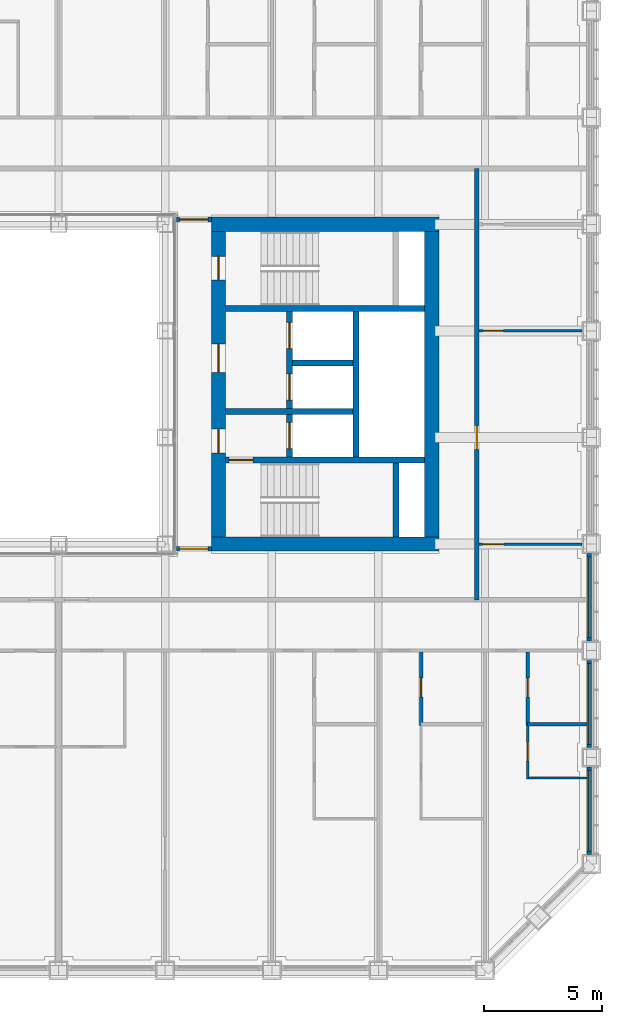
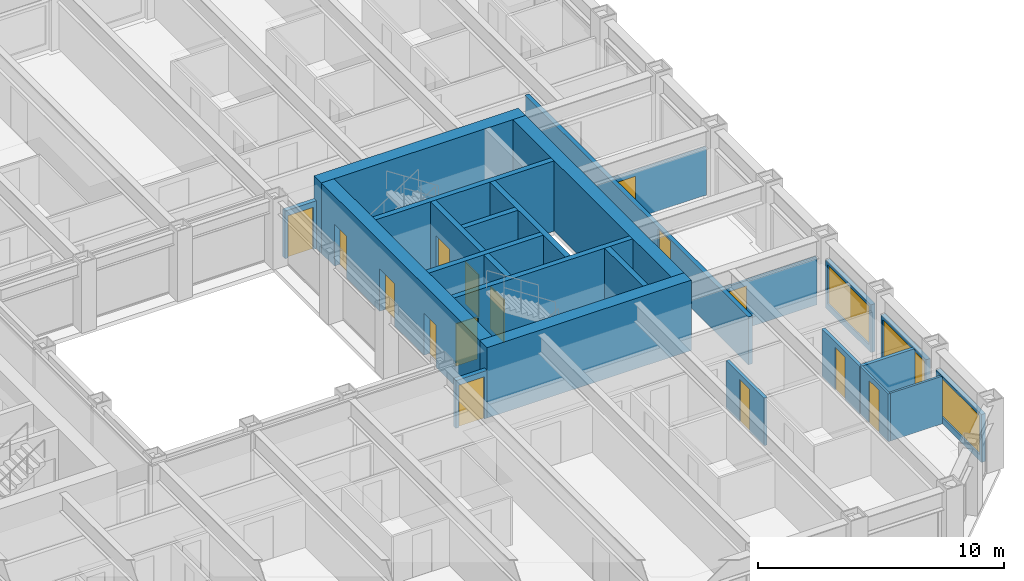
# One storey, part 12 of 21: 24 walls, 15 doors, 3 windows, 18 openings.
"""IFC4 building model written with IfcOpenShell, lengths in metres."""

from ifc_helpers import new_model, si_unit, direction, frame, frame_2d, origin, place, context, subcontext, project, spatial, rectangle, extrude, material, layer, layer_set, type_object, element, fill, save


model = new_model("IFC4")

# Units and contexts
model_context = context("Model", 3, precision=1e-05, world=origin(), true_north=direction((0.0, 1.0)))
body_context = subcontext(model_context, "Body", "Model", "MODEL_VIEW")
ifc_project = project(units=[si_unit("LENGTHUNIT", "METRE"), si_unit("AREAUNIT", "SQUARE_METRE"), si_unit("VOLUMEUNIT", "CUBIC_METRE"), si_unit("PLANEANGLEUNIT", "RADIAN"), si_unit("MASSUNIT", "GRAM", prefix="KILO")], contexts=[model_context])

# Site, building, storey
site_placement = place(None, origin())
site = spatial("IfcSite", under=ifc_project, at=site_placement, CompositionType="ELEMENT")
building_placement = place(site_placement, origin())
building = spatial("IfcBuilding", under=site, at=building_placement, Name="Msasa Ring Tower", CompositionType="ELEMENT")
storey_placement = place(building_placement, frame((0.0, 0.0, 86.0)))
storey = spatial("IfcBuildingStorey", under=building, at=storey_placement, Name="L22", CompositionType="ELEMENT", Elevation=86.0)

# Walls
ifc_material_1 = material(Name="Concrete C60/75", Category="concrete")
ifc_layer_1 = layer(ifc_material_1, 0.60009765625)
ifc_layer_set_1 = layer_set([ifc_layer_1], Name="CW1 CORE WALL 600")
wall_type_1 = type_object("IfcWallType", Name="CW1 CORE WALL 600", PredefinedType="SHEAR", material=ifc_layer_set_1)
for number, where, z_axis, x_axis, name in (
    (1, (8.699951171875, -6.75, 0.0), (0.0, 0.0, 1.0), (1.0, 0.0, 0.0), "E core wall S L22"),
    (2, (8.699951171875, 6.75, 0.0), (0.0, 0.0, 1.0), (1.0, 0.0, 0.0), "E core wall N L22"),
):
    element("IfcWall", number, at=place(storey_placement, frame(where, z_axis=z_axis, x_axis=x_axis)), inside=storey, type_object=wall_type_1, Name=name, PredefinedType="SHEAR", context=body_context, shape_type="SweptSolid", body=[
        extrude(rectangle(XDim=9.60009765625, YDim=0.60009765625, at=frame_2d((4.800048828125, 0.0))), origin(), (0.0, 0.0, 1.0), 3.5),
    ])

# Wall, openings, doors
wall_1_placement = place(storey_placement, frame((9.0, -6.449951171875, 0.0), z_axis=(0.0, 0.0, 1.0), x_axis=(0.0, 1.0, 0.0)))
wall_1 = element("IfcWall", 3, at=wall_1_placement, inside=storey, type_object=wall_type_1, Name="E core wall W L22", PredefinedType="SHEAR", context=body_context, shape_type="SweptSolid", body=[
    extrude(rectangle(XDim=12.89990234375, YDim=0.60009765625, at=frame_2d((6.449951171875, 0.0))), origin(), (0.0, 0.0, 1.0), 3.5),
])
opening_1_placement = place(wall_1_placement, frame((3.550048828125, 0.0, 0.0)))
opening_1 = element("IfcOpeningElement", 4, at=opening_1_placement, cuts=wall_1, Name="Opening RF-047", PredefinedType="OPENING", context=body_context, shape_type="SweptSolid", body=[
    extrude(rectangle(XDim=1.0, YDim=2.10009765625, at=frame_2d((0.5, 1.050048828125))), frame((0.0, 0.31005859375, 0.0), z_axis=(0.0, -1.0, 0.0), x_axis=(1.0, 0.0, 0.0)), (0.0, 0.0, 1.0), 0.6201171875),
])
opening_2_placement = place(wall_1_placement, frame((6.949951171875, 0.0, 0.0)))
opening_2 = element("IfcOpeningElement", 5, at=opening_2_placement, cuts=wall_1, Name="Opening RF-043", PredefinedType="OPENING", context=body_context, shape_type="SweptSolid", body=[
    extrude(rectangle(XDim=1.199951171875, YDim=2.10009765625, at=frame_2d((0.60009765625, 1.050048828125))), frame((0.0, 0.31005859375, 0.0), z_axis=(0.0, -1.0, 0.0), x_axis=(1.0, 0.0, 0.0)), (0.0, 0.0, 1.0), 0.6201171875),
])
opening_3_placement = place(wall_1_placement, frame((10.85009765625, 0.0, 0.0)))
opening_3 = element("IfcOpeningElement", 6, at=opening_3_placement, cuts=wall_1, Name="Opening RF-039", PredefinedType="OPENING", context=body_context, shape_type="SweptSolid", body=[
    extrude(rectangle(XDim=1.0, YDim=2.10009765625, at=frame_2d((0.5, 1.050048828125))), frame((0.0, 0.31005859375, 0.0), z_axis=(0.0, -1.0, 0.0), x_axis=(1.0, 0.0, 0.0)), (0.0, 0.0, 1.0), 0.6201171875),
])
ifc_material_2 = material(Name="Timber door leaf in a steel frame", Category="steel")
door_type_1 = type_object("IfcDoorType", Name="D4 LOBBY DOOR 1000x2100", OperationType="SINGLE_SWING_LEFT", PredefinedType="DOOR", material=ifc_material_2)
door_1_placement = place(opening_1_placement, origin())
door_1 = element("IfcDoor", 7, at=door_1_placement, inside=storey, type_object=door_type_1, Name="Door L22-EFFL", OperationType="SINGLE_SWING_LEFT", OverallHeight=2.10009765625, OverallWidth=1.0, PredefinedType="DOOR", context=body_context, shape_type="SweptSolid", body=[
    extrude(rectangle(XDim=1.0, YDim=2.10009765625, at=frame_2d((0.5, 1.050048828125))), frame((0.0, 0.02490234375, 0.0), z_axis=(0.0, -1.0, 0.0), x_axis=(1.0, 0.0, 0.0)), (0.0, 0.0, 1.0), 0.050048828125),
])
fill(opening_1, door_1)
ifc_material_3 = material(Name="Timber door leaf in a steel frame", Category="steel")
door_type_2 = type_object("IfcDoorType", Name="D5 WIDE LOBBY DOOR 1200x2100", OperationType="SINGLE_SWING_LEFT", PredefinedType="DOOR", material=ifc_material_3)
door_2_placement = place(opening_2_placement, origin())
door_2 = element("IfcDoor", 8, at=door_2_placement, inside=storey, type_object=door_type_2, Name="Door L22-ELL", OperationType="SINGLE_SWING_RIGHT", OverallHeight=2.10009765625, OverallWidth=1.199951171875, PredefinedType="DOOR", context=body_context, shape_type="SweptSolid", body=[
    extrude(rectangle(XDim=1.199951171875, YDim=2.10009765625, at=frame_2d((0.60009765625, 1.050048828125))), frame((0.0, 0.02490234375, 0.0), z_axis=(0.0, -1.0, 0.0), x_axis=(1.0, 0.0, 0.0)), (0.0, 0.0, 1.0), 0.050048828125),
])
fill(opening_2, door_2)
ifc_material_4 = material(Name="Timber door leaf in a steel frame", Category="steel")
door_type_3 = type_object("IfcDoorType", Name="D6 STAIR DOOR 1000x2100", OperationType="SINGLE_SWING_LEFT", PredefinedType="DOOR", material=ifc_material_4)
door_3_placement = place(opening_3_placement, origin())
door_3 = element("IfcDoor", 9, at=door_3_placement, inside=storey, type_object=door_type_3, Name="Door L22-ESTB", OperationType="SINGLE_SWING_RIGHT", OverallHeight=2.10009765625, OverallWidth=1.0, PredefinedType="DOOR", context=body_context, shape_type="SweptSolid", body=[
    extrude(rectangle(XDim=1.0, YDim=2.10009765625, at=frame_2d((0.5, 1.050048828125))), frame((0.0, 0.02490234375, 0.0), z_axis=(0.0, -1.0, 0.0), x_axis=(1.0, 0.0, 0.0)), (0.0, 0.0, 1.0), 0.050048828125),
])
fill(opening_3, door_3)

# Wall
wall_2_placement = place(storey_placement, frame((18.0, -6.449951171875, 0.0), z_axis=(0.0, 0.0, 1.0), x_axis=(0.0, 1.0, 0.0)))
element("IfcWall", 10, at=wall_2_placement, inside=storey, type_object=wall_type_1, Name="E core wall E L22", PredefinedType="SHEAR", context=body_context, shape_type="SweptSolid", body=[
    extrude(rectangle(XDim=12.89990234375, YDim=0.60009765625, at=frame_2d((6.449951171875, 0.0))), origin(), (0.0, 0.0, 1.0), 3.5),
])

# Wall, opening, door
ifc_material_5 = material(Name="Concrete C60/75", Category="concrete")
ifc_layer_2 = layer(ifc_material_5, 0.25)
ifc_layer_set_2 = layer_set([ifc_layer_2], Name="CW4 CORE INNER WALL 250")
wall_type_2 = type_object("IfcWallType", Name="CW4 CORE INNER WALL 250", PredefinedType="SHEAR", material=ifc_layer_set_2)
wall_3_placement = place(storey_placement, frame((9.300048828125, -3.199951171875, 0.0), z_axis=(0.0, 0.0, 1.0), x_axis=(1.0, 0.0, 0.0)))
wall_3 = element("IfcWall", 11, at=wall_3_placement, inside=storey, type_object=wall_type_2, Name="E core wall STAIRA L22", PredefinedType="SHEAR", context=body_context, shape_type="SweptSolid", body=[
    extrude(rectangle(XDim=8.39990234375, YDim=0.25, at=frame_2d((4.199951171875, 0.0))), origin(), (0.0, 0.0, 1.0), 3.5),
])
opening_4_placement = place(wall_3_placement, frame((0.14990234375, 0.0, 0.0)))
opening_4 = element("IfcOpeningElement", 12, at=opening_4_placement, cuts=wall_3, Name="Opening RF-049", PredefinedType="OPENING", context=body_context, shape_type="SweptSolid", body=[
    extrude(rectangle(XDim=1.0, YDim=2.10009765625, at=frame_2d((0.5, 1.050048828125))), frame((0.0, 0.135009765625, 0.0), z_axis=(0.0, -1.0, 0.0), x_axis=(1.0, 0.0, 0.0)), (0.0, 0.0, 1.0), 0.27001953125),
])
door_4_placement = place(opening_4_placement, origin())
door_4 = element("IfcDoor", 13, at=door_4_placement, inside=storey, type_object=door_type_3, Name="Door L22-ESTA", OperationType="SINGLE_SWING_LEFT", OverallHeight=2.10009765625, OverallWidth=1.0, PredefinedType="DOOR", context=body_context, shape_type="SweptSolid", body=[
    extrude(rectangle(XDim=1.0, YDim=2.10009765625, at=frame_2d((0.5, 1.050048828125))), frame((0.0, 0.02490234375, 0.0), z_axis=(0.0, -1.0, 0.0), x_axis=(1.0, 0.0, 0.0)), (0.0, 0.0, 1.0), 0.050048828125),
])
fill(opening_4, door_4)

# Walls
wall_4_placement = place(storey_placement, frame((9.300048828125, 3.199951171875, 0.0), z_axis=(0.0, 0.0, 1.0), x_axis=(1.0, 0.0, 0.0)))
element("IfcWall", 14, at=wall_4_placement, inside=storey, type_object=wall_type_2, Name="E core wall STAIRB L22", PredefinedType="SHEAR", context=body_context, shape_type="SweptSolid", body=[
    extrude(rectangle(XDim=8.39990234375, YDim=0.25, at=frame_2d((4.199951171875, 0.0))), origin(), (0.0, 0.0, 1.0), 3.5),
])
wall_5_placement = place(storey_placement, frame((16.5, -6.449951171875, 0.0), z_axis=(0.0, 0.0, 1.0), x_axis=(0.0, 1.0, 0.0)))
element("IfcWall", 15, at=wall_5_placement, inside=storey, type_object=wall_type_2, Name="E core wall RISERA L22", PredefinedType="SHEAR", context=body_context, shape_type="SweptSolid", body=[
    extrude(rectangle(XDim=3.125, YDim=0.25, at=frame_2d((1.5625, 0.0))), origin(), (0.0, 0.0, 1.0), 3.5),
])
wall_6_placement = place(storey_placement, frame((9.300048828125, -1.14990234375, 0.0), z_axis=(0.0, 0.0, 1.0), x_axis=(1.0, 0.0, 0.0)))
element("IfcWall", 16, at=wall_6_placement, inside=storey, type_object=wall_type_2, Name="E core wall FFL L22", PredefinedType="SHEAR", context=body_context, shape_type="SweptSolid", body=[
    extrude(rectangle(XDim=5.375, YDim=0.25, at=frame_2d((2.6875, 0.0))), origin(), (0.0, 0.0, 1.0), 3.5),
])

# Wall, openings, doors
wall_7_placement = place(storey_placement, frame((12.0, -3.074951171875, 0.0), z_axis=(0.0, 0.0, 1.0), x_axis=(0.0, 1.0, 0.0)))
wall_7 = element("IfcWall", 17, at=wall_7_placement, inside=storey, type_object=wall_type_2, Name="E core wall LOBBY L22", PredefinedType="SHEAR", context=body_context, shape_type="SweptSolid", body=[
    extrude(rectangle(XDim=6.14990234375, YDim=0.25, at=frame_2d((3.074951171875, 0.0))), origin(), (0.0, 0.0, 1.0), 3.5),
])
opening_5_placement = place(wall_7_placement, frame((0.35009765625, 0.0, 0.0)))
opening_5 = element("IfcOpeningElement", 18, at=opening_5_placement, cuts=wall_7, Name="Opening LD1", PredefinedType="OPENING", context=body_context, shape_type="SweptSolid", body=[
    extrude(rectangle(XDim=1.10009765625, YDim=2.10009765625, at=frame_2d((0.550048828125, 1.050048828125))), frame((0.0, 0.135009765625, 0.0), z_axis=(0.0, -1.0, 0.0), x_axis=(1.0, 0.0, 0.0)), (0.0, 0.0, 1.0), 0.27001953125),
])
opening_6_placement = place(wall_7_placement, frame((2.39990234375, 0.0, 0.0)))
opening_6 = element("IfcOpeningElement", 19, at=opening_6_placement, cuts=wall_7, Name="Opening LD1", PredefinedType="OPENING", context=body_context, shape_type="SweptSolid", body=[
    extrude(rectangle(XDim=1.10009765625, YDim=2.10009765625, at=frame_2d((0.550048828125, 1.050048828125))), frame((0.0, 0.135009765625, 0.0), z_axis=(0.0, -1.0, 0.0), x_axis=(1.0, 0.0, 0.0)), (0.0, 0.0, 1.0), 0.27001953125),
])
opening_7_placement = place(wall_7_placement, frame((4.574951171875, 0.0, 0.0)))
opening_7 = element("IfcOpeningElement", 20, at=opening_7_placement, cuts=wall_7, Name="Opening LD1", PredefinedType="OPENING", context=body_context, shape_type="SweptSolid", body=[
    extrude(rectangle(XDim=1.10009765625, YDim=2.10009765625, at=frame_2d((0.550048828125, 1.050048828125))), frame((0.0, 0.135009765625, 0.0), z_axis=(0.0, -1.0, 0.0), x_axis=(1.0, 0.0, 0.0)), (0.0, 0.0, 1.0), 0.27001953125),
])
ifc_material_6 = material(Name="Stainless steel lift landing door", Category="steel")
door_type_4 = type_object("IfcDoorType", Name="LD1 LIFT LANDING DOOR 1100x2100", OperationType="DOUBLE_DOOR_SLIDING", PredefinedType="DOOR", material=ifc_material_6)
door_5_placement = place(opening_5_placement, origin())
door_5 = element("IfcDoor", 21, at=door_5_placement, inside=storey, type_object=door_type_4, Name="Lift landing door FL-E L22", OperationType="DOUBLE_DOOR_SLIDING", OverallHeight=2.10009765625, OverallWidth=1.10009765625, PredefinedType="DOOR", context=body_context, shape_type="SweptSolid", body=[
    extrude(rectangle(XDim=1.10009765625, YDim=2.10009765625, at=frame_2d((0.550048828125, 1.050048828125))), frame((0.0, 0.02490234375, 0.0), z_axis=(0.0, -1.0, 0.0), x_axis=(1.0, 0.0, 0.0)), (0.0, 0.0, 1.0), 0.050048828125),
])
fill(opening_5, door_5)
door_6_placement = place(opening_6_placement, origin())
door_6 = element("IfcDoor", 22, at=door_6_placement, inside=storey, type_object=door_type_4, Name="Lift landing door PL-R1 L22", OperationType="DOUBLE_DOOR_SLIDING", OverallHeight=2.10009765625, OverallWidth=1.10009765625, PredefinedType="DOOR", context=body_context, shape_type="SweptSolid", body=[
    extrude(rectangle(XDim=1.10009765625, YDim=2.10009765625, at=frame_2d((0.550048828125, 1.050048828125))), frame((0.0, 0.02490234375, 0.0), z_axis=(0.0, -1.0, 0.0), x_axis=(1.0, 0.0, 0.0)), (0.0, 0.0, 1.0), 0.050048828125),
])
fill(opening_6, door_6)
door_7_placement = place(opening_7_placement, origin())
door_7 = element("IfcDoor", 23, at=door_7_placement, inside=storey, type_object=door_type_4, Name="Lift landing door PL-R2 L22", OperationType="DOUBLE_DOOR_SLIDING", OverallHeight=2.10009765625, OverallWidth=1.10009765625, PredefinedType="DOOR", context=body_context, shape_type="SweptSolid", body=[
    extrude(rectangle(XDim=1.10009765625, YDim=2.10009765625, at=frame_2d((0.550048828125, 1.050048828125))), frame((0.0, 0.02490234375, 0.0), z_axis=(0.0, -1.0, 0.0), x_axis=(1.0, 0.0, 0.0)), (0.0, 0.0, 1.0), 0.050048828125),
])
fill(opening_7, door_7)

# Walls
wall_8_placement = place(storey_placement, frame((14.800048828125, -3.074951171875, 0.0), z_axis=(0.0, 0.0, 1.0), x_axis=(0.0, 1.0, 0.0)))
element("IfcWall", 24, at=wall_8_placement, inside=storey, type_object=wall_type_2, Name="E core wall SHAFT L22", PredefinedType="SHEAR", context=body_context, shape_type="SweptSolid", body=[
    extrude(rectangle(XDim=6.14990234375, YDim=0.25, at=frame_2d((3.074951171875, 0.0))), origin(), (0.0, 0.0, 1.0), 3.5),
])
wall_9_placement = place(storey_placement, frame((12.125, 0.89990234375, 0.0), z_axis=(0.0, 0.0, 1.0), x_axis=(1.0, 0.0, 0.0)))
element("IfcWall", 25, at=wall_9_placement, inside=storey, type_object=wall_type_2, Name="E core wall LIFT1 L22", PredefinedType="SHEAR", context=body_context, shape_type="SweptSolid", body=[
    extrude(rectangle(XDim=2.550048828125, YDim=0.25, at=frame_2d((1.27490234375, 0.0))), origin(), (0.0, 0.0, 1.0), 3.5),
])

# Wall, opening, window
ifc_material_7 = material(Name="Terracotta rainscreen on blockwork", Category="masonry")
ifc_layer_3 = layer(ifc_material_7, 0.199951171875)
ifc_layer_set_3 = layer_set([ifc_layer_3], Name="FW1 TERRACOTTA-LINED INFILL BAY WALL 200")
wall_type_3 = type_object("IfcWallType", Name="FW1 TERRACOTTA-LINED INFILL BAY WALL 200", PredefinedType="SOLIDWALL", material=ifc_layer_set_3)
wall_10_placement = place(storey_placement, frame((24.64990234375, -19.844970703125, 0.0), z_axis=(0.0, 0.0, 1.0), x_axis=(0.0, 1.0, 0.0)))
wall_10 = element("IfcWall", 26, at=wall_10_placement, inside=storey, type_object=wall_type_3, Name="Infill bay wall E L22 11", PredefinedType="SOLIDWALL", context=body_context, shape_type="SweptSolid", body=[
    extrude(rectangle(XDim=3.68994140625, YDim=0.199951171875, at=frame_2d((1.844970703125, 0.0))), origin(), (0.0, 0.0, 1.0), 2.37890625),
])
opening_8_placement = place(wall_10_placement, frame((0.14501953125, 0.0, 0.300048828125)))
opening_8 = element("IfcOpeningElement", 27, at=opening_8_placement, cuts=wall_10, Name="Opening WN1", PredefinedType="OPENING", context=body_context, shape_type="SweptSolid", body=[
    extrude(rectangle(XDim=3.39990234375, YDim=1.928955078125, at=frame_2d((1.699951171875, 0.96435546875))), frame((0.0, 0.10986328125, 0.0), z_axis=(0.0, -1.0, 0.0), x_axis=(1.0, 0.0, 0.0)), (0.0, 0.0, 1.0), 0.219970703125),
])
ifc_material_8 = material(Name="Aluminium frame with clear glass", Category="aluminium")
window_type = type_object("IfcWindowType", Name="WN1 RESIDENCE WINDOW 3400x1929", PartitioningType="SINGLE_PANEL", PredefinedType="WINDOW", material=ifc_material_8)
window_1_placement = place(opening_8_placement, origin())
window_1 = element("IfcWindow", 28, at=window_1_placement, inside=storey, type_object=window_type, Name="Window E L22 11", OverallHeight=1.928955078125, OverallWidth=3.39990234375, PartitioningType="SINGLE_PANEL", PredefinedType="WINDOW", context=body_context, shape_type="SweptSolid", body=[
    extrude(rectangle(XDim=3.39990234375, YDim=1.928955078125, at=frame_2d((1.699951171875, 0.96435546875))), frame((0.0, 0.030029296875, 0.0), z_axis=(0.0, -1.0, 0.0), x_axis=(1.0, 0.0, 0.0)), (0.0, 0.0, 1.0), 0.06005859375),
])
fill(opening_8, window_1)

wall_11_placement = place(storey_placement, frame((24.64990234375, -15.344970703125, 0.0), z_axis=(0.0, 0.0, 1.0), x_axis=(0.0, 1.0, 0.0)))
wall_11 = element("IfcWall", 29, at=wall_11_placement, inside=storey, type_object=wall_type_3, Name="Infill bay wall E L22 12", PredefinedType="SOLIDWALL", context=body_context, shape_type="SweptSolid", body=[
    extrude(rectangle(XDim=3.68994140625, YDim=0.199951171875, at=frame_2d((1.844970703125, 0.0))), origin(), (0.0, 0.0, 1.0), 2.37890625),
])
opening_9_placement = place(wall_11_placement, frame((0.14501953125, 0.0, 0.300048828125)))
opening_9 = element("IfcOpeningElement", 30, at=opening_9_placement, cuts=wall_11, Name="Opening WN1", PredefinedType="OPENING", context=body_context, shape_type="SweptSolid", body=[
    extrude(rectangle(XDim=3.39990234375, YDim=1.928955078125, at=frame_2d((1.699951171875, 0.96435546875))), frame((0.0, 0.10986328125, 0.0), z_axis=(0.0, -1.0, 0.0), x_axis=(1.0, 0.0, 0.0)), (0.0, 0.0, 1.0), 0.219970703125),
])
window_2_placement = place(opening_9_placement, origin())
window_2 = element("IfcWindow", 31, at=window_2_placement, inside=storey, type_object=window_type, Name="Window E L22 12", OverallHeight=1.928955078125, OverallWidth=3.39990234375, PartitioningType="SINGLE_PANEL", PredefinedType="WINDOW", context=body_context, shape_type="SweptSolid", body=[
    extrude(rectangle(XDim=3.39990234375, YDim=1.928955078125, at=frame_2d((1.699951171875, 0.96435546875))), frame((0.0, 0.030029296875, 0.0), z_axis=(0.0, -1.0, 0.0), x_axis=(1.0, 0.0, 0.0)), (0.0, 0.0, 1.0), 0.06005859375),
])
fill(opening_9, window_2)

wall_12_placement = place(storey_placement, frame((24.64990234375, -10.844970703125, 0.0), z_axis=(0.0, 0.0, 1.0), x_axis=(0.0, 1.0, 0.0)))
wall_12 = element("IfcWall", 32, at=wall_12_placement, inside=storey, type_object=wall_type_3, Name="Infill bay wall E L22 13", PredefinedType="SOLIDWALL", context=body_context, shape_type="SweptSolid", body=[
    extrude(rectangle(XDim=3.68994140625, YDim=0.199951171875, at=frame_2d((1.844970703125, 0.0))), origin(), (0.0, 0.0, 1.0), 2.37890625),
])
opening_10_placement = place(wall_12_placement, frame((0.14501953125, 0.0, 0.300048828125)))
opening_10 = element("IfcOpeningElement", 33, at=opening_10_placement, cuts=wall_12, Name="Opening WN1", PredefinedType="OPENING", context=body_context, shape_type="SweptSolid", body=[
    extrude(rectangle(XDim=3.39990234375, YDim=1.928955078125, at=frame_2d((1.699951171875, 0.96435546875))), frame((0.0, 0.10986328125, 0.0), z_axis=(0.0, -1.0, 0.0), x_axis=(1.0, 0.0, 0.0)), (0.0, 0.0, 1.0), 0.219970703125),
])
window_3_placement = place(opening_10_placement, origin())
window_3 = element("IfcWindow", 34, at=window_3_placement, inside=storey, type_object=window_type, Name="Window E L22 13", OverallHeight=1.928955078125, OverallWidth=3.39990234375, PartitioningType="SINGLE_PANEL", PredefinedType="WINDOW", context=body_context, shape_type="SweptSolid", body=[
    extrude(rectangle(XDim=3.39990234375, YDim=1.928955078125, at=frame_2d((1.699951171875, 0.96435546875))), frame((0.0, 0.030029296875, 0.0), z_axis=(0.0, -1.0, 0.0), x_axis=(1.0, 0.0, 0.0)), (0.0, 0.0, 1.0), 0.06005859375),
])
fill(opening_10, window_3)

# Wall, opening, door
ifc_material_9 = material(Name="Concrete blockwork", Category="masonry")
ifc_layer_4 = layer(ifc_material_9, 0.199951171875)
ifc_layer_set_4 = layer_set([ifc_layer_4], Name="PT1 CORRIDOR WALL 200")
wall_type_4 = type_object("IfcWallType", Name="PT1 CORRIDOR WALL 200", PredefinedType="PARTITIONING", material=ifc_layer_set_4)
wall_13_placement = place(storey_placement, frame((7.22998046875, 6.949951171875, 0.0), z_axis=(0.0, 0.0, 1.0), x_axis=(1.0, 0.0, 0.0)))
wall_13 = element("IfcWall", 35, at=wall_13_placement, inside=storey, type_object=wall_type_4, Name="Corridor wall L22-SDEN", PredefinedType="PARTITIONING", context=body_context, shape_type="SweptSolid", body=[
    extrude(rectangle(XDim=1.469970703125, YDim=0.199951171875, at=frame_2d((0.73486328125, 0.0))), origin(), (0.0, 0.0, 1.0), 2.373291015625),
])
opening_11_placement = place(wall_13_placement, frame((0.135009765625, 0.0, 0.0)))
opening_11 = element("IfcOpeningElement", 36, at=opening_11_placement, cuts=wall_13, Name="Opening RF-035", PredefinedType="OPENING", context=body_context, shape_type="SweptSolid", body=[
    extrude(rectangle(XDim=1.199951171875, YDim=2.10009765625, at=frame_2d((0.60009765625, 1.050048828125))), frame((0.0, 0.10986328125, 0.0), z_axis=(0.0, -1.0, 0.0), x_axis=(1.0, 0.0, 0.0)), (0.0, 0.0, 1.0), 0.219970703125),
])
ifc_material_10 = material(Name="Timber door leaf in a steel frame", Category="steel")
door_type_5 = type_object("IfcDoorType", Name="D25 CORRIDOR PAIR OF SMOKE DOORS 1200x2100", OperationType="DOUBLE_DOOR_DOUBLE_SWING", PredefinedType="DOOR", material=ifc_material_10)
door_8_placement = place(opening_11_placement, origin())
door_8 = element("IfcDoor", 37, at=door_8_placement, inside=storey, type_object=door_type_5, Name="Door L22-SDEN", OperationType="DOUBLE_DOOR_DOUBLE_SWING", OverallHeight=2.10009765625, OverallWidth=1.199951171875, PredefinedType="DOOR", context=body_context, shape_type="SweptSolid", body=[
    extrude(rectangle(XDim=1.199951171875, YDim=2.10009765625, at=frame_2d((0.60009765625, 1.050048828125))), frame((0.0, 0.02490234375, 0.0), z_axis=(0.0, -1.0, 0.0), x_axis=(1.0, 0.0, 0.0)), (0.0, 0.0, 1.0), 0.050048828125),
])
fill(opening_11, door_8)

wall_14_placement = place(storey_placement, frame((7.22998046875, -6.949951171875, 0.0), z_axis=(0.0, 0.0, 1.0), x_axis=(1.0, 0.0, 0.0)))
wall_14 = element("IfcWall", 38, at=wall_14_placement, inside=storey, type_object=wall_type_4, Name="Corridor wall L22-SDES", PredefinedType="PARTITIONING", context=body_context, shape_type="SweptSolid", body=[
    extrude(rectangle(XDim=1.469970703125, YDim=0.199951171875, at=frame_2d((0.73486328125, 0.0))), origin(), (0.0, 0.0, 1.0), 2.373291015625),
])
opening_12_placement = place(wall_14_placement, frame((0.135009765625, 0.0, 0.0)))
opening_12 = element("IfcOpeningElement", 39, at=opening_12_placement, cuts=wall_14, Name="Opening RF-053", PredefinedType="OPENING", context=body_context, shape_type="SweptSolid", body=[
    extrude(rectangle(XDim=1.199951171875, YDim=2.10009765625, at=frame_2d((0.60009765625, 1.050048828125))), frame((0.0, 0.10986328125, 0.0), z_axis=(0.0, -1.0, 0.0), x_axis=(1.0, 0.0, 0.0)), (0.0, 0.0, 1.0), 0.219970703125),
])
door_9_placement = place(opening_12_placement, origin())
door_9 = element("IfcDoor", 40, at=door_9_placement, inside=storey, type_object=door_type_5, Name="Door L22-SDES", OperationType="DOUBLE_DOOR_DOUBLE_SWING", OverallHeight=2.10009765625, OverallWidth=1.199951171875, PredefinedType="DOOR", context=body_context, shape_type="SweptSolid", body=[
    extrude(rectangle(XDim=1.199951171875, YDim=2.10009765625, at=frame_2d((0.60009765625, 1.050048828125))), frame((0.0, 0.02490234375, 0.0), z_axis=(0.0, -1.0, 0.0), x_axis=(1.0, 0.0, 0.0)), (0.0, 0.0, 1.0), 0.050048828125),
])
fill(opening_12, door_9)

wall_15_placement = place(storey_placement, frame((19.89990234375, -9.10009765625, 0.0), z_axis=(0.0, 0.0, 1.0), x_axis=(0.0, 1.0, 0.0)))
wall_15 = element("IfcWall", 41, at=wall_15_placement, inside=storey, type_object=wall_type_4, Name="Corridor wall L22-STRE", PredefinedType="PARTITIONING", context=body_context, shape_type="SweptSolid", body=[
    extrude(rectangle(XDim=18.2001953125, YDim=0.199951171875, at=frame_2d((9.10009765625, 0.0))), origin(), (0.0, 0.0, 1.0), 2.373291015625),
])
opening_13_placement = place(wall_15_placement, frame((6.35009765625, 0.0, 0.0)))
opening_13 = element("IfcOpeningElement", 42, at=opening_13_placement, cuts=wall_15, Name="Opening RF-045", PredefinedType="OPENING", context=body_context, shape_type="SweptSolid", body=[
    extrude(rectangle(XDim=1.0, YDim=2.300048828125, at=frame_2d((0.5, 1.14990234375))), frame((0.0, 0.10986328125, 0.0), z_axis=(0.0, -1.0, 0.0), x_axis=(1.0, 0.0, 0.0)), (0.0, 0.0, 1.0), 0.219970703125),
])
ifc_material_11 = material(Name="Timber door leaf in a steel frame", Category="steel")
door_type_6 = type_object("IfcDoorType", Name="D16 UPPER RESIDENCE ENTRANCE DOOR 1000x2300", OperationType="SINGLE_SWING_LEFT", PredefinedType="DOOR", material=ifc_material_11)
door_10_placement = place(opening_13_placement, origin())
door_10 = element("IfcDoor", 43, at=door_10_placement, inside=storey, type_object=door_type_6, Name="Door L22-STE", OperationType="SINGLE_SWING_LEFT", OverallHeight=2.300048828125, OverallWidth=1.0, PredefinedType="DOOR", context=body_context, shape_type="SweptSolid", body=[
    extrude(rectangle(XDim=1.0, YDim=2.300048828125, at=frame_2d((0.5, 1.14990234375))), frame((0.0, 0.02490234375, 0.0), z_axis=(0.0, -1.0, 0.0), x_axis=(1.0, 0.0, 0.0)), (0.0, 0.0, 1.0), 0.050048828125),
])
fill(opening_13, door_10)

ifc_material_12 = material(Name="Gypsum board on steel studs", Category="steel")
ifc_layer_5 = layer(ifc_material_12, 0.10009765625)
ifc_layer_set_5 = layer_set([ifc_layer_5], Name="PT2 STUD PARTITION 100")
wall_type_5 = type_object("IfcWallType", Name="PT2 STUD PARTITION 100", PredefinedType="PARTITIONING", material=ifc_layer_set_5)
wall_16_placement = place(storey_placement, frame((22.050048828125, -16.673583984375, 0.0), z_axis=(0.0, 0.0, 1.0), x_axis=(0.0, 1.0, 0.0)))
wall_16 = element("IfcWall", 44, at=wall_16_placement, inside=storey, type_object=wall_type_5, Name="Partition L22-VSEWX3", PredefinedType="PARTITIONING", context=body_context, shape_type="SweptSolid", body=[
    extrude(rectangle(XDim=2.273681640625, YDim=0.10009765625, at=frame_2d((1.13671875, 0.0))), origin(), (0.0, 0.0, 1.0), 2.373291015625),
])
opening_14_placement = place(wall_16_placement, frame((0.76171875, 0.0, 0.0)))
opening_14 = element("IfcOpeningElement", 45, at=opening_14_placement, cuts=wall_16, Name="Opening RF-079", PredefinedType="OPENING", context=body_context, shape_type="SweptSolid", body=[
    extrude(rectangle(XDim=0.800048828125, YDim=2.10009765625, at=frame_2d((0.39990234375, 1.050048828125))), frame((0.0, 0.06005859375, 0.0), z_axis=(0.0, -1.0, 0.0), x_axis=(1.0, 0.0, 0.0)), (0.0, 0.0, 1.0), 0.1201171875),
])
ifc_material_13 = material(Name="Timber door leaf in a steel frame", Category="steel")
door_type_7 = type_object("IfcDoorType", Name="D60 DRESSING ROOM DOOR 800x2100", OperationType="SINGLE_SWING_LEFT", PredefinedType="DOOR", material=ifc_material_13)
door_11_placement = place(opening_14_placement, origin())
door_11 = element("IfcDoor", 46, at=door_11_placement, inside=storey, type_object=door_type_7, Name="Door L22-VSEW3", OperationType="SINGLE_SWING_LEFT", OverallHeight=2.10009765625, OverallWidth=0.800048828125, PredefinedType="DOOR", context=body_context, shape_type="SweptSolid", body=[
    extrude(rectangle(XDim=0.800048828125, YDim=2.10009765625, at=frame_2d((0.39990234375, 1.050048828125))), frame((0.0, 0.02490234375, 0.0), z_axis=(0.0, -1.0, 0.0), x_axis=(1.0, 0.0, 0.0)), (0.0, 0.0, 1.0), 0.050048828125),
])
fill(opening_14, door_11)

# Wall
wall_17_placement = place(storey_placement, frame((22.050048828125, -16.62353515625, 0.0), z_axis=(0.0, 0.0, 1.0), x_axis=(1.0, 0.0, 0.0)))
element("IfcWall", 47, at=wall_17_placement, inside=storey, type_object=wall_type_5, Name="Partition L22-VSEWY3", PredefinedType="PARTITIONING", context=body_context, shape_type="SweptSolid", body=[
    extrude(rectangle(XDim=2.5, YDim=0.10009765625, at=frame_2d((1.25, 0.0))), origin(), (0.0, 0.0, 1.0), 2.373291015625),
])

# Wall, opening, door
wall_18_placement = place(storey_placement, frame((20.0, -6.75, 0.0), z_axis=(0.0, 0.0, 1.0), x_axis=(1.0, 0.0, 0.0)))
wall_18 = element("IfcWall", 48, at=wall_18_placement, inside=storey, type_object=wall_type_5, Name="Partition L22-STEKY", PredefinedType="PARTITIONING", context=body_context, shape_type="SweptSolid", body=[
    extrude(rectangle(XDim=4.35009765625, YDim=0.10009765625, at=frame_2d((2.175048828125, 0.0))), origin(), (0.0, 0.0, 1.0), 2.373291015625),
])
opening_15_placement = place(wall_18_placement, frame((0.14990234375, 0.0, 0.0)))
opening_15 = element("IfcOpeningElement", 49, at=opening_15_placement, cuts=wall_18, Name="Opening RF-051", PredefinedType="OPENING", context=body_context, shape_type="SweptSolid", body=[
    extrude(rectangle(XDim=0.89990234375, YDim=2.10009765625, at=frame_2d((0.449951171875, 1.050048828125))), frame((0.0, 0.06005859375, 0.0), z_axis=(0.0, -1.0, 0.0), x_axis=(1.0, 0.0, 0.0)), (0.0, 0.0, 1.0), 0.1201171875),
])
ifc_material_14 = material(Name="Timber door leaf in a steel frame", Category="steel")
door_type_8 = type_object("IfcDoorType", Name="D22 INTERNAL HALL DOOR 900x2100", OperationType="SINGLE_SWING_LEFT", PredefinedType="DOOR", material=ifc_material_14)
door_12_placement = place(opening_15_placement, origin())
door_12 = element("IfcDoor", 50, at=door_12_placement, inside=storey, type_object=door_type_8, Name="Door L22-STEK", OperationType="SINGLE_SWING_LEFT", OverallHeight=2.10009765625, OverallWidth=0.89990234375, PredefinedType="DOOR", context=body_context, shape_type="SweptSolid", body=[
    extrude(rectangle(XDim=0.89990234375, YDim=2.10009765625, at=frame_2d((0.449951171875, 1.050048828125))), frame((0.0, 0.02490234375, 0.0), z_axis=(0.0, -1.0, 0.0), x_axis=(1.0, 0.0, 0.0)), (0.0, 0.0, 1.0), 0.050048828125),
])
fill(opening_15, door_12)

wall_19_placement = place(storey_placement, frame((20.0, 2.25, 0.0), z_axis=(0.0, 0.0, 1.0), x_axis=(1.0, 0.0, 0.0)))
wall_19 = element("IfcWall", 51, at=wall_19_placement, inside=storey, type_object=wall_type_5, Name="Partition L22-STERY", PredefinedType="PARTITIONING", context=body_context, shape_type="SweptSolid", body=[
    extrude(rectangle(XDim=4.35009765625, YDim=0.10009765625, at=frame_2d((2.175048828125, 0.0))), origin(), (0.0, 0.0, 1.0), 2.373291015625),
])
opening_16_placement = place(wall_19_placement, frame((0.175048828125, 0.0, 0.0)))
opening_16 = element("IfcOpeningElement", 52, at=opening_16_placement, cuts=wall_19, Name="Opening RF-041", PredefinedType="OPENING", context=body_context, shape_type="SweptSolid", body=[
    extrude(rectangle(XDim=0.85009765625, YDim=2.10009765625, at=frame_2d((0.425048828125, 1.050048828125))), frame((0.0, 0.06005859375, 0.0), z_axis=(0.0, -1.0, 0.0), x_axis=(1.0, 0.0, 0.0)), (0.0, 0.0, 1.0), 0.1201171875),
])
ifc_material_15 = material(Name="Timber door leaf in a steel frame", Category="steel")
door_type_9 = type_object("IfcDoorType", Name="D14 BEDROOM DOOR 850x2100", OperationType="SINGLE_SWING_LEFT", PredefinedType="DOOR", material=ifc_material_15)
door_13_placement = place(opening_16_placement, origin())
door_13 = element("IfcDoor", 53, at=door_13_placement, inside=storey, type_object=door_type_9, Name="Door L22-STER", OperationType="SINGLE_SWING_LEFT", OverallHeight=2.10009765625, OverallWidth=0.85009765625, PredefinedType="DOOR", context=body_context, shape_type="SweptSolid", body=[
    extrude(rectangle(XDim=0.85009765625, YDim=2.10009765625, at=frame_2d((0.425048828125, 1.050048828125))), frame((0.0, 0.02490234375, 0.0), z_axis=(0.0, -1.0, 0.0), x_axis=(1.0, 0.0, 0.0)), (0.0, 0.0, 1.0), 0.050048828125),
])
fill(opening_16, door_13)

ifc_material_16 = material(Name="Moisture-resistant board on steel studs with a concealed cistern and pipe void, tiled", Category="steel")
ifc_layer_6 = layer(ifc_material_16, 0.14990234375)
ifc_layer_set_6 = layer_set([ifc_layer_6], Name="PT4 BATHROOM WET WALL 150")
wall_type_6 = type_object("IfcWallType", Name="PT4 BATHROOM WET WALL 150", PredefinedType="PARTITIONING", material=ifc_layer_set_6)
wall_20_placement = place(storey_placement, frame((17.550048828125, -14.39990234375, 0.0), z_axis=(0.0, 0.0, 1.0), x_axis=(0.0, 1.0, 0.0)))
wall_20 = element("IfcWall", 54, at=wall_20_placement, inside=storey, type_object=wall_type_6, Name="Partition L22-VSEBX2", PredefinedType="PARTITIONING", context=body_context, shape_type="SweptSolid", body=[
    extrude(rectangle(XDim=3.08740234375, YDim=0.14990234375, at=frame_2d((1.543701171875, 0.0))), origin(), (0.0, 0.0, 1.0), 2.373291015625),
])
opening_17_placement = place(wall_20_placement, frame((1.199951171875, 0.0, 0.0)))
opening_17 = element("IfcOpeningElement", 55, at=opening_17_placement, cuts=wall_20, Name="Opening RF-074", PredefinedType="OPENING", context=body_context, shape_type="SweptSolid", body=[
    extrude(rectangle(XDim=0.800048828125, YDim=2.10009765625, at=frame_2d((0.39990234375, 1.050048828125))), frame((0.0, 0.0849609375, 0.0), z_axis=(0.0, -1.0, 0.0), x_axis=(1.0, 0.0, 0.0)), (0.0, 0.0, 1.0), 0.169921875),
])
ifc_material_17 = material(Name="Timber door leaf in a steel frame", Category="steel")
door_type_10 = type_object("IfcDoorType", Name="D21 POCKET SLIDING BATHROOM DOOR 800x2100", OperationType="SINGLE_SWING_LEFT", PredefinedType="DOOR", material=ifc_material_17)
door_14_placement = place(opening_17_placement, origin())
door_14 = element("IfcDoor", 56, at=door_14_placement, inside=storey, type_object=door_type_10, Name="Door L22-VSEB2", OperationType="SINGLE_SWING_RIGHT", OverallHeight=2.10009765625, OverallWidth=0.800048828125, PredefinedType="DOOR", context=body_context, shape_type="SweptSolid", body=[
    extrude(rectangle(XDim=0.800048828125, YDim=2.10009765625, at=frame_2d((0.39990234375, 1.050048828125))), frame((0.0, 0.02490234375, 0.0), z_axis=(0.0, -1.0, 0.0), x_axis=(1.0, 0.0, 0.0)), (0.0, 0.0, 1.0), 0.050048828125),
])
fill(opening_17, door_14)

wall_21_placement = place(storey_placement, frame((22.050048828125, -14.39990234375, 0.0), z_axis=(0.0, 0.0, 1.0), x_axis=(0.0, 1.0, 0.0)))
wall_21 = element("IfcWall", 57, at=wall_21_placement, inside=storey, type_object=wall_type_6, Name="Partition L22-VSEBX3", PredefinedType="PARTITIONING", context=body_context, shape_type="SweptSolid", body=[
    extrude(rectangle(XDim=3.08740234375, YDim=0.14990234375, at=frame_2d((1.543701171875, 0.0))), origin(), (0.0, 0.0, 1.0), 2.373291015625),
])
opening_18_placement = place(wall_21_placement, frame((1.199951171875, 0.0, 0.0)))
opening_18 = element("IfcOpeningElement", 58, at=opening_18_placement, cuts=wall_21, Name="Opening RF-075", PredefinedType="OPENING", context=body_context, shape_type="SweptSolid", body=[
    extrude(rectangle(XDim=0.800048828125, YDim=2.10009765625, at=frame_2d((0.39990234375, 1.050048828125))), frame((0.0, 0.0849609375, 0.0), z_axis=(0.0, -1.0, 0.0), x_axis=(1.0, 0.0, 0.0)), (0.0, 0.0, 1.0), 0.169921875),
])
door_15_placement = place(opening_18_placement, origin())
door_15 = element("IfcDoor", 59, at=door_15_placement, inside=storey, type_object=door_type_10, Name="Door L22-VSEB3", OperationType="SINGLE_SWING_RIGHT", OverallHeight=2.10009765625, OverallWidth=0.800048828125, PredefinedType="DOOR", context=body_context, shape_type="SweptSolid", body=[
    extrude(rectangle(XDim=0.800048828125, YDim=2.10009765625, at=frame_2d((0.39990234375, 1.050048828125))), frame((0.0, 0.02490234375, 0.0), z_axis=(0.0, -1.0, 0.0), x_axis=(1.0, 0.0, 0.0)), (0.0, 0.0, 1.0), 0.050048828125),
])
fill(opening_18, door_15)

# Wall
wall_22_placement = place(storey_placement, frame((22.050048828125, -14.35009765625, 0.0), z_axis=(0.0, 0.0, 1.0), x_axis=(1.0, 0.0, 0.0)))
element("IfcWall", 60, at=wall_22_placement, inside=storey, type_object=wall_type_6, Name="Partition L22-VSEBY3", PredefinedType="PARTITIONING", context=body_context, shape_type="SweptSolid", body=[
    extrude(rectangle(XDim=2.5, YDim=0.14990234375, at=frame_2d((1.25, 0.0))), origin(), (0.0, 0.0, 1.0), 2.373291015625),
])

save(model, "model.ifc")
